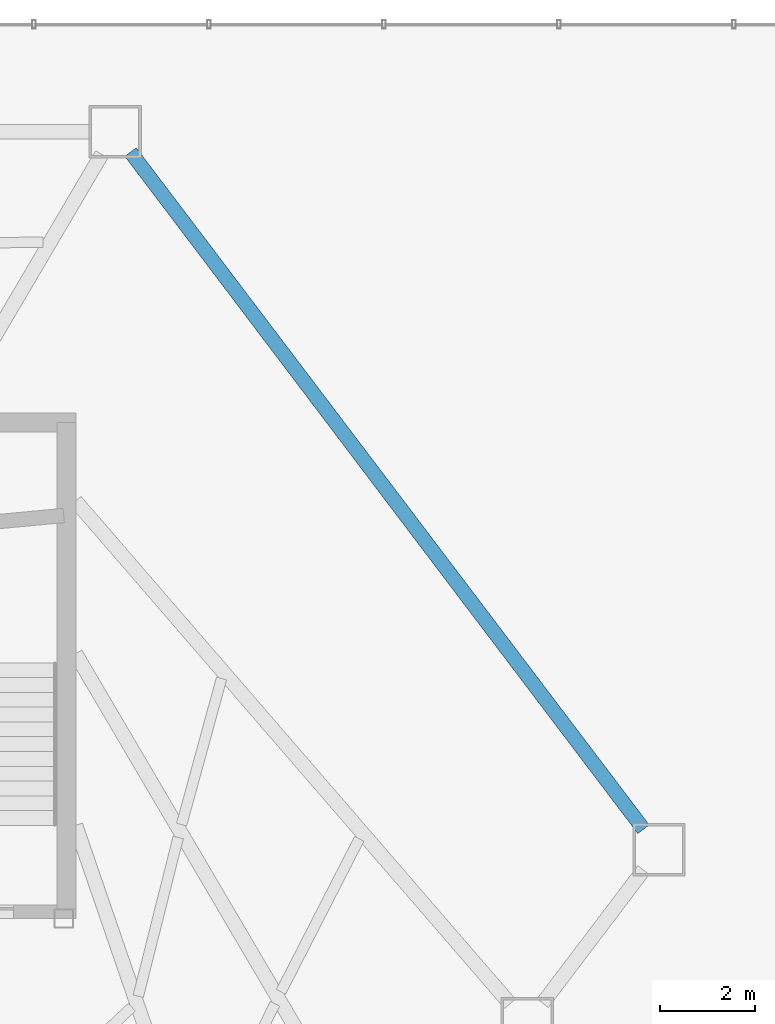
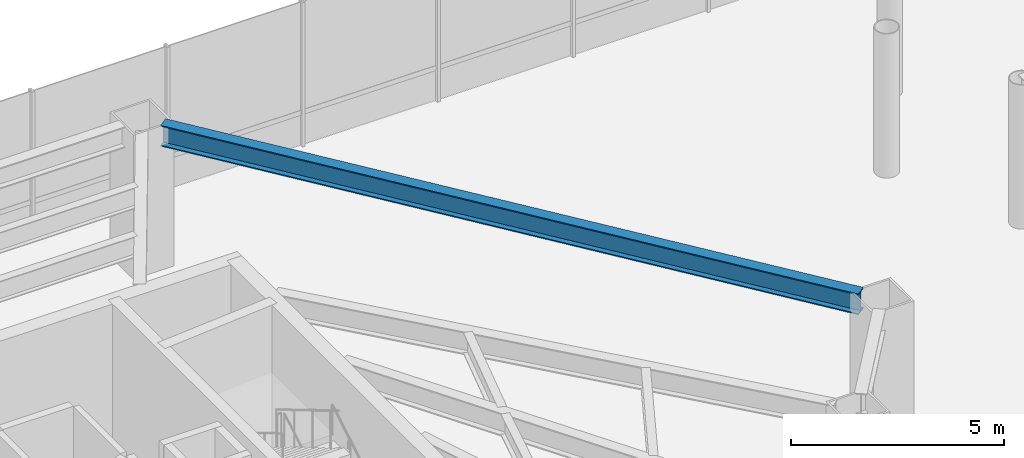
# One storey, part 24 of 37: 1 beam.
"""IFC4 building model written with IfcOpenShell, lengths in metres."""

from ifc_helpers import new_model, si_unit, direction, frame, origin, origin_2d, place, context, subcontext, project, spatial, i_section, extrude, material, material_profile, profile_set, type_object, element, save


model = new_model("IFC4")

# Units and contexts
model_context = context("Model", 3, precision=1e-05, world=origin(), true_north=direction((0.0, 1.0)))
body_context = subcontext(model_context, "Body", "Model", "MODEL_VIEW")
ifc_project = project(units=[si_unit("LENGTHUNIT", "METRE"), si_unit("AREAUNIT", "SQUARE_METRE"), si_unit("VOLUMEUNIT", "CUBIC_METRE"), si_unit("PLANEANGLEUNIT", "RADIAN"), si_unit("MASSUNIT", "GRAM", prefix="KILO")], contexts=[model_context])

# Site, building, storey
site_placement = place(None, origin())
site = spatial("IfcSite", under=ifc_project, at=site_placement, CompositionType="ELEMENT")
building_placement = place(site_placement, origin())
building = spatial("IfcBuilding", under=site, at=building_placement, Name="Zarrinselat Tower", CompositionType="ELEMENT")
storey_placement = place(building_placement, frame((0.0, 0.0, 9.52001953125)))
storey = spatial("IfcBuildingStorey", under=building, at=storey_placement, Name="L02", CompositionType="ELEMENT", Elevation=9.52001953125)

# Beam
ifc_material = material(Name="Steel S355J2", Category="steel")
ifc_material_profile = material_profile(ifc_material, i_section(OverallWidth=0.300048828125, OverallDepth=0.60009765625, WebThickness=0.015380859375, FlangeThickness=0.030029296875, at=origin_2d()), Name="HEB 600")
ifc_profile_set = profile_set([ifc_material_profile], Name="Steel S355J2")
beam_type = type_object("IfcBeamType", Name="BM-HEB600", PredefinedType="BEAM", material=ifc_profile_set)
beam_placement = place(storey_placement, frame((49.601806640625, 49.12109375, 3.840087890625), z_axis=(0.603860854183, -0.797089749517, 0.0), x_axis=(0.797089749517, 0.603860854183, 0.0)))
element("IfcBeam", 1, at=beam_placement, inside=storey, type_object=beam_type, Name="L02 Perimeter Spandrel Girder SP15", PredefinedType="BEAM", context=body_context, shape_type="SweptSolid", body=[
    extrude(i_section(OverallWidth=0.300048828125, OverallDepth=0.60009765625, WebThickness=0.015380859375, FlangeThickness=0.030029296875, at=origin_2d()), origin(), (0.0, 0.0, 1.0), 17.81494140625),
])

save(model, "model.ifc")
